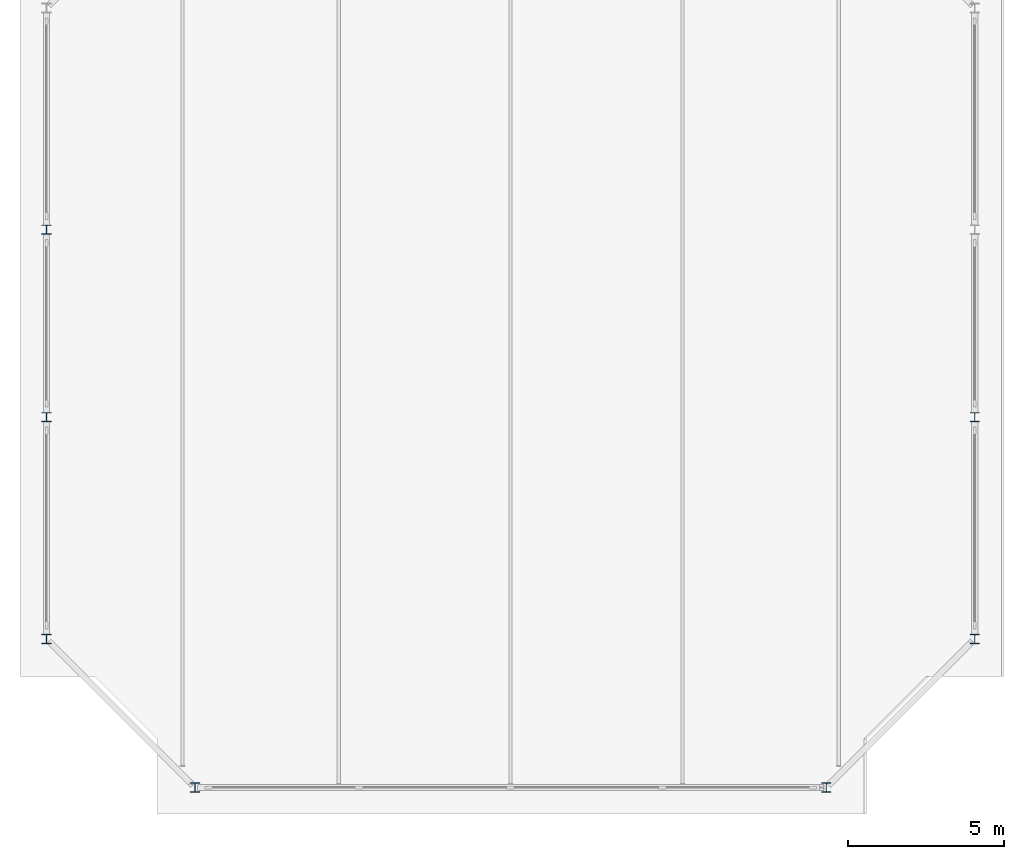
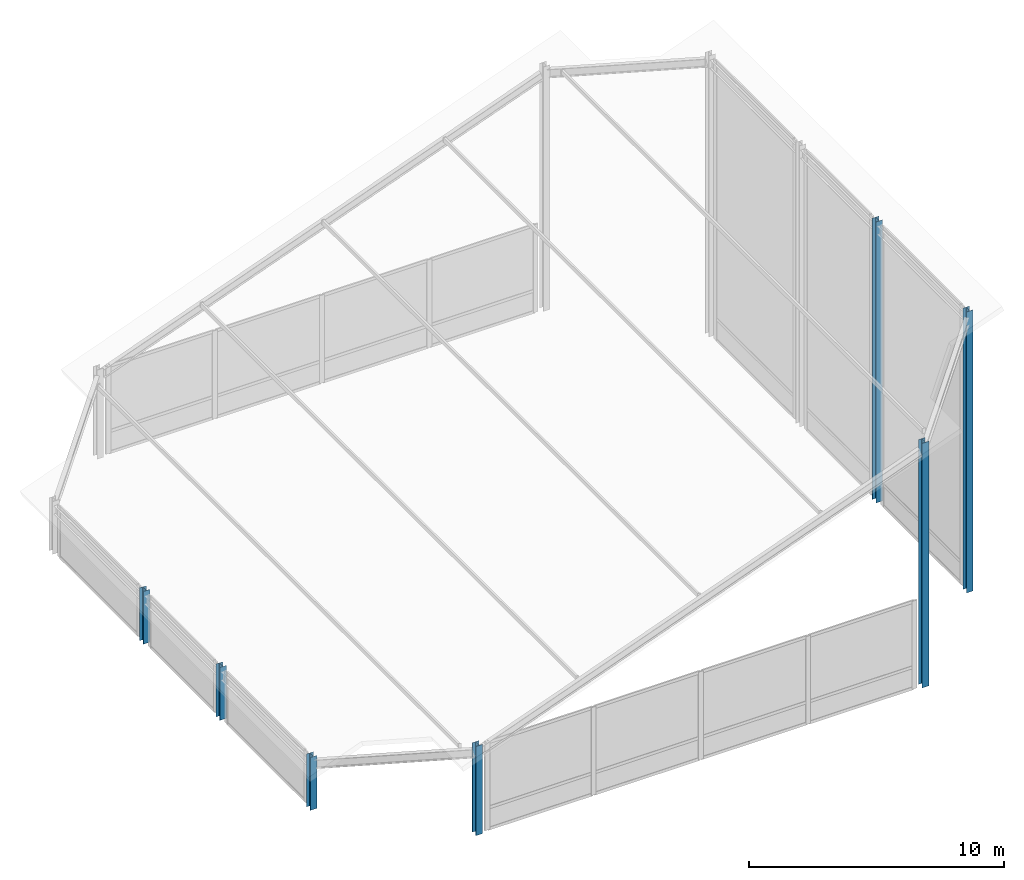
# One storey, part 1 of 8: 7 columns.
"""IFC4 building model written with IfcOpenShell, lengths in metres."""

from ifc_helpers import new_model, si_unit, direction, frame, origin, origin_2d, place, context, subcontext, project, spatial, i_section, extrude, source, transform, mapped, material, material_profile, profile_set, type_object, element, save


model = new_model("IFC4")

# Units and contexts
model_context = context("Model", 3, precision=1e-05, world=origin(), true_north=direction((0.0, 1.0)))
body_context = subcontext(model_context, "Body", "Model", "MODEL_VIEW")
ifc_project = project(units=[si_unit("LENGTHUNIT", "METRE"), si_unit("AREAUNIT", "SQUARE_METRE"), si_unit("VOLUMEUNIT", "CUBIC_METRE"), si_unit("PLANEANGLEUNIT", "RADIAN"), si_unit("MASSUNIT", "GRAM", prefix="KILO"), si_unit("THERMODYNAMICTEMPERATUREUNIT", "KELVIN"), si_unit("POWERUNIT", "WATT")], contexts=[model_context])

# Site, building, storey
site_placement = place(None, origin())
site = spatial("IfcSite", under=ifc_project, at=site_placement, CompositionType="ELEMENT")
building_placement = place(site_placement, origin())
building = spatial("IfcBuilding", under=site, at=building_placement, Name="Qiaomeng Ring Towers", CompositionType="ELEMENT")
storey_placement = place(building_placement, frame((0.0, 0.0, 267.75)))
storey = spatial("IfcBuildingStorey", under=building, at=storey_placement, Name="Roof", CompositionType="ELEMENT", Elevation=267.75)

# Columns
ifc_material = material(Name="Steel Q355B", Category="steel")
ifc_material_profile = material_profile(ifc_material, i_section(OverallWidth=0.300048828125, OverallDepth=0.300048828125, WebThickness=0.010009765625, FlangeThickness=0.014892578125, FilletRadius=0.01806640625, at=origin_2d()), Name="HW 300x300x10x15")
ifc_profile_set = profile_set([ifc_material_profile], Name="Steel Q355B")
column_type = type_object("IfcColumnType", Name="STR-COL-HW300", PredefinedType="COLUMN", material=ifc_profile_set)
shared_shape_1 = source(origin(), body_context, "Body", "SweptSolid", [
    extrude(i_section(OverallWidth=0.300048828125, OverallDepth=0.300048828125, WebThickness=0.010009765625, FlangeThickness=0.014892578125, FilletRadius=0.01806640625, at=origin_2d()), origin(), (0.0, 0.0, 1.0), 4.2705078125),
])
column_1_placement = place(storey_placement, frame((8.89990234375, 8.14990234375, 0.0), z_axis=(0.0, 0.0, 1.0), x_axis=(1.0, 0.0, 0.0)))
element("IfcColumn", 1, at=column_1_placement, inside=storey, type_object=column_type, Name="Crown Perimeter Column S1", PredefinedType="COLUMN", context=body_context, shape_type="MappedRepresentation", body=[
    mapped(shared_shape_1, transform((0.0, 0.0, 0.0), x_axis=(1.0, 0.0, 0.0), y_axis=(0.0, 1.0, 0.0), z_axis=(0.0, 0.0, 1.0), scale=1.0)),
])
shared_shape_2 = source(origin(), body_context, "Body", "SweptSolid", [
    extrude(i_section(OverallWidth=0.300048828125, OverallDepth=0.300048828125, WebThickness=0.010009765625, FlangeThickness=0.014892578125, FilletRadius=0.01806640625, at=origin_2d()), origin(), (0.0, 0.0, 1.0), 11.70263671875),
])
column_2_placement = place(storey_placement, frame((29.10009765625, 8.14990234375, 0.0), z_axis=(0.0, 0.0, 1.0), x_axis=(1.0, 0.0, 0.0)))
element("IfcColumn", 2, at=column_2_placement, inside=storey, type_object=column_type, Name="Crown Perimeter Column S2", PredefinedType="COLUMN", context=body_context, shape_type="MappedRepresentation", body=[
    mapped(shared_shape_2, transform((0.0, 0.0, 0.0), x_axis=(1.0, 0.0, 0.0), y_axis=(0.0, 1.0, 0.0), z_axis=(0.0, 0.0, 1.0), scale=1.0)),
])
shared_shape_3 = source(origin(), body_context, "Body", "SweptSolid", [
    extrude(i_section(OverallWidth=0.300048828125, OverallDepth=0.300048828125, WebThickness=0.010009765625, FlangeThickness=0.014892578125, FilletRadius=0.01806640625, at=origin_2d()), origin(), (0.0, 0.0, 1.0), 13.4501953125),
])
for number, where, z_axis, x_axis, name in (
    (3, (33.85009765625, 12.89990234375, 0.0), (0.0, 0.0, 1.0), (1.0, 0.0, 0.0), "Crown Perimeter Column E1"),
    (4, (33.85009765625, 20.0, 0.0), (0.0, 0.0, 1.0), (1.0, 0.0, 0.0), "Crown Perimeter Column E2"),
):
    element("IfcColumn", number, at=place(storey_placement, frame(where, z_axis=z_axis, x_axis=x_axis)), inside=storey, type_object=column_type, Name=name, PredefinedType="COLUMN", context=body_context, shape_type="MappedRepresentation", body=[
        mapped(shared_shape_3, transform((0.0, 0.0, 0.0), x_axis=(1.0, 0.0, 0.0), y_axis=(0.0, 1.0, 0.0), z_axis=(0.0, 0.0, 1.0), scale=1.0)),
    ])
shared_shape_4 = source(origin(), body_context, "Body", "SweptSolid", [
    extrude(i_section(OverallWidth=0.300048828125, OverallDepth=0.300048828125, WebThickness=0.010009765625, FlangeThickness=0.014892578125, FilletRadius=0.01806640625, at=origin_2d()), origin(), (0.0, 0.0, 1.0), 2.522705078125),
])
for number, where, z_axis, x_axis, name in (
    (5, (4.14990234375, 26.0, 0.0), (0.0, 0.0, 1.0), (1.0, 0.0, 0.0), "Crown Perimeter Column W3"),
    (6, (4.14990234375, 20.0, 0.0), (0.0, 0.0, 1.0), (1.0, 0.0, 0.0), "Crown Perimeter Column W2"),
    (7, (4.14990234375, 12.89990234375, 0.0), (0.0, 0.0, 1.0), (1.0, 0.0, 0.0), "Crown Perimeter Column W1"),
):
    element("IfcColumn", number, at=place(storey_placement, frame(where, z_axis=z_axis, x_axis=x_axis)), inside=storey, type_object=column_type, Name=name, PredefinedType="COLUMN", context=body_context, shape_type="MappedRepresentation", body=[
        mapped(shared_shape_4, transform((0.0, 0.0, 0.0), x_axis=(1.0, 0.0, 0.0), y_axis=(0.0, 1.0, 0.0), z_axis=(0.0, 0.0, 1.0), scale=1.0)),
    ])

save(model, "model.ifc")
